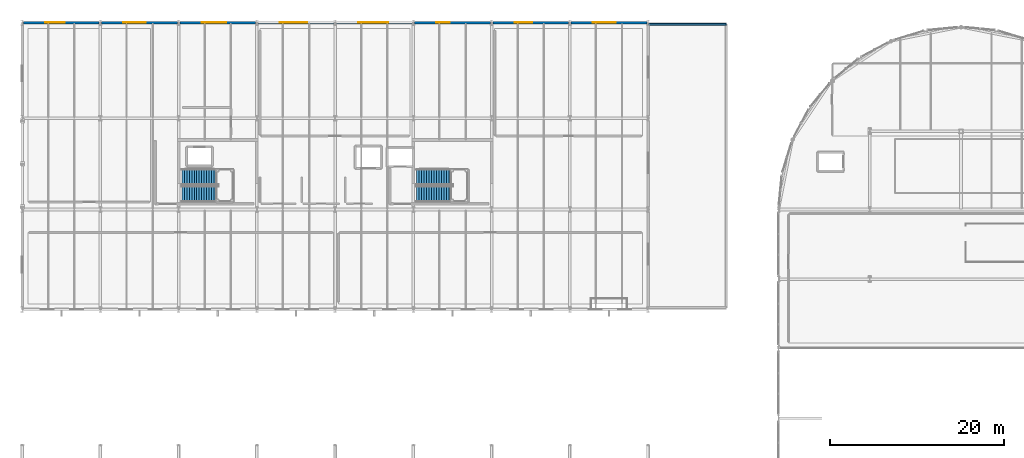
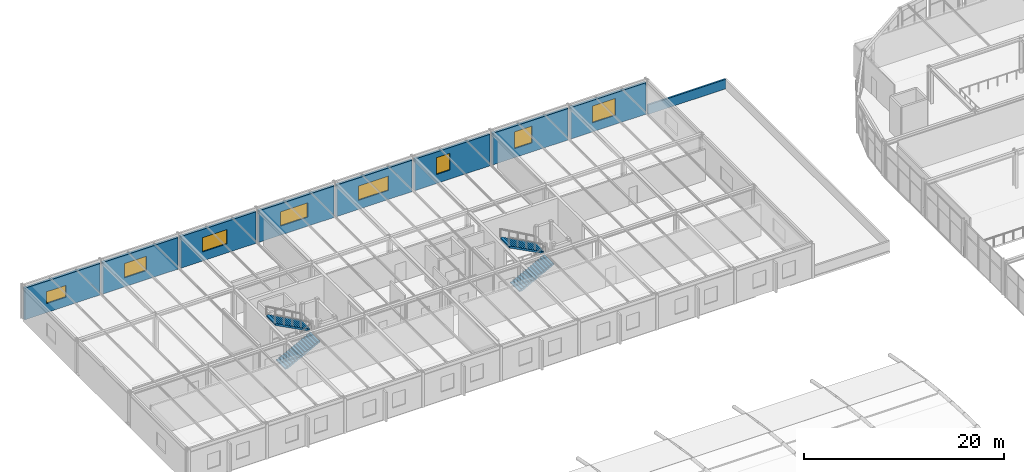
# One storey, part 63 of 105: 9 walls, 8 windows, 4 stair flights, 8 openings, 2 elements without a shape of their own.
"""IFC4 building model written with IfcOpenShell, lengths in metres."""

from ifc_helpers import new_model, si_unit, direction, frame, frame_2d, origin, place, context, subcontext, project, spatial, polyline, rectangle, outline, extrude, material, layer, layer_set, type_object, element, fill, aggregate, save


model = new_model("IFC4")

# Units and contexts
model_context = context("Model", 3, precision=1e-05, world=origin(), true_north=direction((0.0, 1.0)))
body_context = subcontext(model_context, "Body", "Model", "MODEL_VIEW")
ifc_project = project(units=[si_unit("LENGTHUNIT", "METRE"), si_unit("AREAUNIT", "SQUARE_METRE"), si_unit("VOLUMEUNIT", "CUBIC_METRE"), si_unit("PLANEANGLEUNIT", "RADIAN"), si_unit("MASSUNIT", "GRAM", prefix="KILO")], contexts=[model_context])

# Site, building, storey
site_placement = place(None, origin())
site = spatial("IfcSite", under=ifc_project, at=site_placement, CompositionType="ELEMENT")
building_placement = place(site_placement, origin())
building = spatial("IfcBuilding", under=site, at=building_placement, Name="Marlcrest Central Station", CompositionType="ELEMENT")
storey_placement = place(building_placement, frame((0.0, 0.0, 15.0)))
storey = spatial("IfcBuildingStorey", under=building, at=storey_placement, Name="L03", CompositionType="ELEMENT", Elevation=15.0)

# Wall
ifc_material_1 = material(Name="Concrete C40/50", Category="concrete")
ifc_layer_1 = layer(ifc_material_1, 0.199951171875, Name="EP-01")
ifc_layer_set_1 = layer_set([ifc_layer_1], Name="Concrete C40/50")
wall_type_1 = type_object("IfcWallType", Name="EP-01", PredefinedType="PARAPET", material=ifc_layer_set_1)
wall_1_placement = place(storey_placement, frame((72.0, 131.800048828125, 0.0), z_axis=(0.0, 0.0, 1.0), x_axis=(1.0, 0.0, 0.0)))
element("IfcWall", 1, at=wall_1_placement, inside=storey, type_object=wall_type_1, Name="ewall-L03-0206", PredefinedType="PARAPET", context=body_context, shape_type="SweptSolid", body=[
    extrude(rectangle(XDim=9.0, YDim=0.199951171875, at=frame_2d((4.5, 0.0))), origin(), (0.0, 0.0, 1.0), 1.14990234375),
])

# Wall, opening, window
ifc_layer_2 = layer(ifc_material_1, 0.2900390625, Name="EW-02")
ifc_layer_set_2 = layer_set([ifc_layer_2], Name="Concrete C40/50")
wall_type_2 = type_object("IfcWallType", Name="EW-02", PredefinedType="SOLIDWALL", material=ifc_layer_set_2)
wall_2_placement = place(storey_placement, frame((0.14990234375, 132.0, 0.0), z_axis=(0.0, 0.0, 1.0), x_axis=(1.0, 0.0, 0.0)))
wall_2 = element("IfcWall", 2, at=wall_2_placement, inside=storey, type_object=wall_type_2, Name="ewall-L03-0149", PredefinedType="SOLIDWALL", context=body_context, shape_type="SweptSolid", body=[
    extrude(rectangle(XDim=8.7001953125, YDim=0.2900390625, at=frame_2d((4.35009765625, 0.0))), origin(), (0.0, 0.0, 1.0), 3.85009765625),
])
opening_1_placement = place(wall_2_placement, frame((2.5, 0.0, 1.10009765625)))
opening_1 = element("IfcOpeningElement", 3, at=opening_1_placement, cuts=wall_2, Name="Opening WN-16", PredefinedType="OPENING", context=body_context, shape_type="SweptSolid", body=[
    extrude(rectangle(XDim=2.25, YDim=1.449951171875, at=frame_2d((1.125, 0.72509765625))), frame((0.0, 0.155029296875, 0.0), z_axis=(0.0, -1.0, 0.0), x_axis=(1.0, 0.0, 0.0)), (0.0, 0.0, 1.0), 0.31005859375),
])
ifc_material_2 = material(Name="Thermally broken bronze-anodised aluminium and laminated low-E glass", Category="aluminium")
window_type_1 = type_object("IfcWindowType", Name="WN-16", PartitioningType="SINGLE_PANEL", PredefinedType="WINDOW", material=ifc_material_2)
window_1_placement = place(opening_1_placement, origin())
window_1 = element("IfcWindow", 4, at=window_1_placement, inside=storey, type_object=window_type_1, Name="ewin-L03-0106", OverallHeight=1.449951171875, OverallWidth=2.25, PartitioningType="SINGLE_PANEL", PredefinedType="WINDOW", context=body_context, shape_type="SweptSolid", body=[
    extrude(rectangle(XDim=2.25, YDim=1.449951171875, at=frame_2d((1.125, 0.72509765625))), frame((0.0, 0.030029296875, 0.0), z_axis=(0.0, -1.0, 0.0), x_axis=(1.0, 0.0, 0.0)), (0.0, 0.0, 1.0), 0.06005859375),
])
fill(opening_1, window_1)

wall_3_placement = place(storey_placement, frame((9.14990234375, 132.0, 0.0), z_axis=(0.0, 0.0, 1.0), x_axis=(1.0, 0.0, 0.0)))
wall_3 = element("IfcWall", 5, at=wall_3_placement, inside=storey, type_object=wall_type_2, Name="ewall-L03-0151", PredefinedType="SOLIDWALL", context=body_context, shape_type="SweptSolid", body=[
    extrude(rectangle(XDim=8.7001953125, YDim=0.2900390625, at=frame_2d((4.35009765625, 0.0))), origin(), (0.0, 0.0, 1.0), 3.85009765625),
])
opening_2_placement = place(wall_3_placement, frame((2.5, 0.0, 1.10009765625)))
opening_2 = element("IfcOpeningElement", 6, at=opening_2_placement, cuts=wall_3, Name="Opening WN-17", PredefinedType="OPENING", context=body_context, shape_type="SweptSolid", body=[
    extrude(rectangle(XDim=2.550048828125, YDim=1.75, at=frame_2d((1.27490234375, 0.875))), frame((0.0, 0.155029296875, 0.0), z_axis=(0.0, -1.0, 0.0), x_axis=(1.0, 0.0, 0.0)), (0.0, 0.0, 1.0), 0.31005859375),
])
window_type_2 = type_object("IfcWindowType", Name="WN-17", PartitioningType="SINGLE_PANEL", PredefinedType="WINDOW", material=ifc_material_2)
window_2_placement = place(opening_2_placement, origin())
window_2 = element("IfcWindow", 7, at=window_2_placement, inside=storey, type_object=window_type_2, Name="ewin-L03-0109", OverallHeight=1.75, OverallWidth=2.550048828125, PartitioningType="SINGLE_PANEL", PredefinedType="WINDOW", context=body_context, shape_type="SweptSolid", body=[
    extrude(rectangle(XDim=2.550048828125, YDim=1.75, at=frame_2d((1.27490234375, 0.875))), frame((0.0, 0.030029296875, 0.0), z_axis=(0.0, -1.0, 0.0), x_axis=(1.0, 0.0, 0.0)), (0.0, 0.0, 1.0), 0.06005859375),
])
fill(opening_2, window_2)

wall_4_placement = place(storey_placement, frame((18.14990234375, 132.0, 0.0), z_axis=(0.0, 0.0, 1.0), x_axis=(1.0, 0.0, 0.0)))
wall_4 = element("IfcWall", 8, at=wall_4_placement, inside=storey, type_object=wall_type_2, Name="ewall-L03-0153", PredefinedType="SOLIDWALL", context=body_context, shape_type="SweptSolid", body=[
    extrude(rectangle(XDim=8.7001953125, YDim=0.2900390625, at=frame_2d((4.35009765625, 0.0))), origin(), (0.0, 0.0, 1.0), 3.85009765625),
])
opening_3_placement = place(wall_4_placement, frame((2.5, 0.0, 1.10009765625)))
opening_3 = element("IfcOpeningElement", 9, at=opening_3_placement, cuts=wall_4, Name="Opening WN-18", PredefinedType="OPENING", context=body_context, shape_type="SweptSolid", body=[
    extrude(rectangle(XDim=2.85009765625, YDim=1.75, at=frame_2d((1.425048828125, 0.875))), frame((0.0, 0.155029296875, 0.0), z_axis=(0.0, -1.0, 0.0), x_axis=(1.0, 0.0, 0.0)), (0.0, 0.0, 1.0), 0.31005859375),
])
window_type_3 = type_object("IfcWindowType", Name="WN-18", PartitioningType="SINGLE_PANEL", PredefinedType="WINDOW", material=ifc_material_2)
window_3_placement = place(opening_3_placement, origin())
window_3 = element("IfcWindow", 10, at=window_3_placement, inside=storey, type_object=window_type_3, Name="ewin-L03-0112", OverallHeight=1.75, OverallWidth=2.85009765625, PartitioningType="SINGLE_PANEL", PredefinedType="WINDOW", context=body_context, shape_type="SweptSolid", body=[
    extrude(rectangle(XDim=2.85009765625, YDim=1.75, at=frame_2d((1.425048828125, 0.875))), frame((0.0, 0.030029296875, 0.0), z_axis=(0.0, -1.0, 0.0), x_axis=(1.0, 0.0, 0.0)), (0.0, 0.0, 1.0), 0.06005859375),
])
fill(opening_3, window_3)

wall_5_placement = place(storey_placement, frame((27.14990234375, 132.0, 0.0), z_axis=(0.0, 0.0, 1.0), x_axis=(1.0, 0.0, 0.0)))
wall_5 = element("IfcWall", 11, at=wall_5_placement, inside=storey, type_object=wall_type_2, Name="ewall-L03-0155", PredefinedType="SOLIDWALL", context=body_context, shape_type="SweptSolid", body=[
    extrude(rectangle(XDim=8.7001953125, YDim=0.2900390625, at=frame_2d((4.35009765625, 0.0))), origin(), (0.0, 0.0, 1.0), 3.85009765625),
])
opening_4_placement = place(wall_5_placement, frame((2.5, 0.0, 1.10009765625)))
opening_4 = element("IfcOpeningElement", 12, at=opening_4_placement, cuts=wall_5, Name="Opening WN-19", PredefinedType="OPENING", context=body_context, shape_type="SweptSolid", body=[
    extrude(rectangle(XDim=3.14990234375, YDim=1.75, at=frame_2d((1.574951171875, 0.875))), frame((0.0, 0.155029296875, 0.0), z_axis=(0.0, -1.0, 0.0), x_axis=(1.0, 0.0, 0.0)), (0.0, 0.0, 1.0), 0.31005859375),
])
window_type_4 = type_object("IfcWindowType", Name="WN-19", PartitioningType="SINGLE_PANEL", PredefinedType="WINDOW", material=ifc_material_2)
window_4_placement = place(opening_4_placement, origin())
window_4 = element("IfcWindow", 13, at=window_4_placement, inside=storey, type_object=window_type_4, Name="ewin-L03-0115", OverallHeight=1.75, OverallWidth=3.14990234375, PartitioningType="SINGLE_PANEL", PredefinedType="WINDOW", context=body_context, shape_type="SweptSolid", body=[
    extrude(rectangle(XDim=3.14990234375, YDim=1.75, at=frame_2d((1.574951171875, 0.875))), frame((0.0, 0.030029296875, 0.0), z_axis=(0.0, -1.0, 0.0), x_axis=(1.0, 0.0, 0.0)), (0.0, 0.0, 1.0), 0.06005859375),
])
fill(opening_4, window_4)

wall_6_placement = place(storey_placement, frame((36.14990234375, 132.0, 0.0), z_axis=(0.0, 0.0, 1.0), x_axis=(1.0, 0.0, 0.0)))
wall_6 = element("IfcWall", 14, at=wall_6_placement, inside=storey, type_object=wall_type_2, Name="ewall-L03-0157", PredefinedType="SOLIDWALL", context=body_context, shape_type="SweptSolid", body=[
    extrude(rectangle(XDim=8.7001953125, YDim=0.2900390625, at=frame_2d((4.35009765625, 0.0))), origin(), (0.0, 0.0, 1.0), 3.85009765625),
])
opening_5_placement = place(wall_6_placement, frame((2.5, 0.0, 1.10009765625)))
opening_5 = element("IfcOpeningElement", 15, at=opening_5_placement, cuts=wall_6, Name="Opening WN-20", PredefinedType="OPENING", context=body_context, shape_type="SweptSolid", body=[
    extrude(rectangle(XDim=3.449951171875, YDim=1.75, at=frame_2d((1.72509765625, 0.875))), frame((0.0, 0.155029296875, 0.0), z_axis=(0.0, -1.0, 0.0), x_axis=(1.0, 0.0, 0.0)), (0.0, 0.0, 1.0), 0.31005859375),
])
window_type_5 = type_object("IfcWindowType", Name="WN-20", PartitioningType="SINGLE_PANEL", PredefinedType="WINDOW", material=ifc_material_2)
window_5_placement = place(opening_5_placement, origin())
window_5 = element("IfcWindow", 16, at=window_5_placement, inside=storey, type_object=window_type_5, Name="ewin-L03-0118", OverallHeight=1.75, OverallWidth=3.449951171875, PartitioningType="SINGLE_PANEL", PredefinedType="WINDOW", context=body_context, shape_type="SweptSolid", body=[
    extrude(rectangle(XDim=3.449951171875, YDim=1.75, at=frame_2d((1.72509765625, 0.875))), frame((0.0, 0.030029296875, 0.0), z_axis=(0.0, -1.0, 0.0), x_axis=(1.0, 0.0, 0.0)), (0.0, 0.0, 1.0), 0.06005859375),
])
fill(opening_5, window_5)

wall_7_placement = place(storey_placement, frame((45.14990234375, 132.0, 0.0), z_axis=(0.0, 0.0, 1.0), x_axis=(1.0, 0.0, 0.0)))
wall_7 = element("IfcWall", 17, at=wall_7_placement, inside=storey, type_object=wall_type_2, Name="ewall-L03-0159", PredefinedType="SOLIDWALL", context=body_context, shape_type="SweptSolid", body=[
    extrude(rectangle(XDim=8.7001953125, YDim=0.2900390625, at=frame_2d((4.35009765625, 0.0))), origin(), (0.0, 0.0, 1.0), 3.85009765625),
])
opening_6_placement = place(wall_7_placement, frame((2.5, 0.0, 1.10009765625)))
opening_6 = element("IfcOpeningElement", 18, at=opening_6_placement, cuts=wall_7, Name="Opening WN-21", PredefinedType="OPENING", context=body_context, shape_type="SweptSolid", body=[
    extrude(rectangle(XDim=1.550048828125, YDim=2.050048828125, at=frame_2d((0.77490234375, 1.02490234375))), frame((0.0, 0.155029296875, 0.0), z_axis=(0.0, -1.0, 0.0), x_axis=(1.0, 0.0, 0.0)), (0.0, 0.0, 1.0), 0.31005859375),
])
window_type_6 = type_object("IfcWindowType", Name="WN-21", PartitioningType="SINGLE_PANEL", PredefinedType="WINDOW", material=ifc_material_2)
window_6_placement = place(opening_6_placement, origin())
window_6 = element("IfcWindow", 19, at=window_6_placement, inside=storey, type_object=window_type_6, Name="ewin-L03-0121", OverallHeight=2.050048828125, OverallWidth=1.550048828125, PartitioningType="SINGLE_PANEL", PredefinedType="WINDOW", context=body_context, shape_type="SweptSolid", body=[
    extrude(rectangle(XDim=1.550048828125, YDim=2.050048828125, at=frame_2d((0.77490234375, 1.02490234375))), frame((0.0, 0.030029296875, 0.0), z_axis=(0.0, -1.0, 0.0), x_axis=(1.0, 0.0, 0.0)), (0.0, 0.0, 1.0), 0.06005859375),
])
fill(opening_6, window_6)

wall_8_placement = place(storey_placement, frame((54.14990234375, 132.0, 0.0), z_axis=(0.0, 0.0, 1.0), x_axis=(1.0, 0.0, 0.0)))
wall_8 = element("IfcWall", 20, at=wall_8_placement, inside=storey, type_object=wall_type_2, Name="ewall-L03-0161", PredefinedType="SOLIDWALL", context=body_context, shape_type="SweptSolid", body=[
    extrude(rectangle(XDim=8.7001953125, YDim=0.2900390625, at=frame_2d((4.35009765625, 0.0))), origin(), (0.0, 0.0, 1.0), 3.85009765625),
])
opening_7_placement = place(wall_8_placement, frame((2.5, 0.0, 1.10009765625)))
opening_7 = element("IfcOpeningElement", 21, at=opening_7_placement, cuts=wall_8, Name="Opening WN-22", PredefinedType="OPENING", context=body_context, shape_type="SweptSolid", body=[
    extrude(rectangle(XDim=2.050048828125, YDim=2.050048828125, at=frame_2d((1.02490234375, 1.02490234375))), frame((0.0, 0.155029296875, 0.0), z_axis=(0.0, -1.0, 0.0), x_axis=(1.0, 0.0, 0.0)), (0.0, 0.0, 1.0), 0.31005859375),
])
window_type_7 = type_object("IfcWindowType", Name="WN-22", PartitioningType="SINGLE_PANEL", PredefinedType="WINDOW", material=ifc_material_2)
window_7_placement = place(opening_7_placement, origin())
window_7 = element("IfcWindow", 22, at=window_7_placement, inside=storey, type_object=window_type_7, Name="ewin-L03-0124", OverallHeight=2.050048828125, OverallWidth=2.050048828125, PartitioningType="SINGLE_PANEL", PredefinedType="WINDOW", context=body_context, shape_type="SweptSolid", body=[
    extrude(rectangle(XDim=2.050048828125, YDim=2.050048828125, at=frame_2d((1.02490234375, 1.02490234375))), frame((0.0, 0.030029296875, 0.0), z_axis=(0.0, -1.0, 0.0), x_axis=(1.0, 0.0, 0.0)), (0.0, 0.0, 1.0), 0.06005859375),
])
fill(opening_7, window_7)

wall_9_placement = place(storey_placement, frame((63.14990234375, 132.0, 0.0), z_axis=(0.0, 0.0, 1.0), x_axis=(1.0, 0.0, 0.0)))
wall_9 = element("IfcWall", 23, at=wall_9_placement, inside=storey, type_object=wall_type_2, Name="ewall-L03-0163", PredefinedType="SOLIDWALL", context=body_context, shape_type="SweptSolid", body=[
    extrude(rectangle(XDim=8.7001953125, YDim=0.2900390625, at=frame_2d((4.35009765625, 0.0))), origin(), (0.0, 0.0, 1.0), 3.85009765625),
])
opening_8_placement = place(wall_9_placement, frame((2.5, 0.0, 1.10009765625)))
opening_8 = element("IfcOpeningElement", 24, at=opening_8_placement, cuts=wall_9, Name="Opening WN-23", PredefinedType="OPENING", context=body_context, shape_type="SweptSolid", body=[
    extrude(rectangle(XDim=2.64990234375, YDim=2.050048828125, at=frame_2d((1.324951171875, 1.02490234375))), frame((0.0, 0.155029296875, 0.0), z_axis=(0.0, -1.0, 0.0), x_axis=(1.0, 0.0, 0.0)), (0.0, 0.0, 1.0), 0.31005859375),
])
window_type_8 = type_object("IfcWindowType", Name="WN-23", PartitioningType="SINGLE_PANEL", PredefinedType="WINDOW", material=ifc_material_2)
window_8_placement = place(opening_8_placement, origin())
window_8 = element("IfcWindow", 25, at=window_8_placement, inside=storey, type_object=window_type_8, Name="ewin-L03-0127", OverallHeight=2.050048828125, OverallWidth=2.64990234375, PartitioningType="SINGLE_PANEL", PredefinedType="WINDOW", context=body_context, shape_type="SweptSolid", body=[
    extrude(rectangle(XDim=2.64990234375, YDim=2.050048828125, at=frame_2d((1.324951171875, 1.02490234375))), frame((0.0, 0.030029296875, 0.0), z_axis=(0.0, -1.0, 0.0), x_axis=(1.0, 0.0, 0.0)), (0.0, 0.0, 1.0), 0.06005859375),
])
fill(opening_8, window_8)

# Stair, stair flights
ifc_material_3 = material(Name="Concrete C35/45", Category="concrete")
stair_type = type_object("IfcStairType", Name="ST-HTS", PredefinedType="HALF_TURN_STAIR", material=ifc_material_3)
stair_1_placement = place(storey_placement, origin())
stair_1 = element("IfcStair", 26, at=stair_1_placement, inside=storey, type_object=stair_type, Name="ST-W13", PredefinedType="HALF_TURN_STAIR")
stair_flight_type = type_object("IfcStairFlightType", Name="SF-180", PredefinedType="STRAIGHT", material=ifc_material_3)
stair_flight_1_placement = place(storey_placement, frame((18.3701171875, 112.27001953125, 0.0), z_axis=(0.0, 0.0, 1.0), x_axis=(1.0, 0.0, 0.0)))
stair_flight_1 = element("IfcStairFlight", 27, at=stair_flight_1_placement, type_object=stair_flight_type, Name="ST-W13-F1", NumberOfRisers=15, NumberOfTreads=14, PredefinedType="STRAIGHT", RiserHeight=0.15, TreadLength=0.285, context=body_context, shape_type="SweptSolid", body=[
    extrude(outline(polyline([(0.0, 0.0), (0.0, 0.14990234375), (0.284912109375, 0.14990234375), (0.284912109375, 0.300048828125), (0.570068359375, 0.300048828125), (0.570068359375, 0.449951171875), (0.85498046875, 0.449951171875), (0.85498046875, 0.60009765625), (1.139892578125, 0.60009765625), (1.139892578125, 0.75), (1.425048828125, 0.75), (1.425048828125, 0.89990234375), (1.7099609375, 0.89990234375), (1.7099609375, 1.050048828125), (1.9951171875, 1.050048828125), (1.9951171875, 1.199951171875), (2.280029296875, 1.199951171875), (2.280029296875, 1.35009765625), (2.56494140625, 1.35009765625), (2.56494140625, 1.5), (2.85009765625, 1.5), (2.85009765625, 1.64990234375), (3.135009765625, 1.64990234375), (3.135009765625, 1.800048828125), (3.419921875, 1.800048828125), (3.419921875, 1.949951171875), (3.705078125, 1.949951171875), (3.705078125, 2.10009765625), (3.989990234375, 2.10009765625), (3.989990234375, 2.25), (3.989990234375, 1.91357421875), (0.354248046875, 0.0), (0.0, 0.0)])), frame((0.0, 0.89990234375, 0.0), z_axis=(0.0, -1.0, 0.0), x_axis=(1.0, 0.0, 0.0)), (0.0, 0.0, 1.0), 1.800048828125),
])
stair_flight_2_placement = place(storey_placement, frame((22.360107421875, 114.22998046875, 2.25), z_axis=(0.0, 0.0, 1.0), x_axis=(-1.0, 0.0, 0.0)))
stair_flight_2 = element("IfcStairFlight", 28, at=stair_flight_2_placement, type_object=stair_flight_type, Name="ST-W13-F2", NumberOfRisers=15, NumberOfTreads=14, PredefinedType="STRAIGHT", RiserHeight=0.15, TreadLength=0.285, context=body_context, shape_type="SweptSolid", body=[
    extrude(outline(polyline([(0.0, 0.0), (0.0, 0.14990234375), (0.284912109375, 0.14990234375), (0.284912109375, 0.300048828125), (0.570068359375, 0.300048828125), (0.570068359375, 0.449951171875), (0.85498046875, 0.449951171875), (0.85498046875, 0.60009765625), (1.139892578125, 0.60009765625), (1.139892578125, 0.75), (1.425048828125, 0.75), (1.425048828125, 0.89990234375), (1.7099609375, 0.89990234375), (1.7099609375, 1.050048828125), (1.9951171875, 1.050048828125), (1.9951171875, 1.199951171875), (2.280029296875, 1.199951171875), (2.280029296875, 1.35009765625), (2.56494140625, 1.35009765625), (2.56494140625, 1.5), (2.85009765625, 1.5), (2.85009765625, 1.64990234375), (3.135009765625, 1.64990234375), (3.135009765625, 1.800048828125), (3.419921875, 1.800048828125), (3.419921875, 1.949951171875), (3.705078125, 1.949951171875), (3.705078125, 2.10009765625), (3.989990234375, 2.10009765625), (3.989990234375, 2.25), (3.989990234375, 1.91357421875), (0.354248046875, 0.0), (0.0, 0.0)])), frame((0.0, 0.89990234375, 0.0), z_axis=(0.0, -1.0, 0.0), x_axis=(1.0, 0.0, 0.0)), (0.0, 0.0, 1.0), 1.800048828125),
])
aggregate(stair_1, [stair_flight_1, stair_flight_2])

stair_2_placement = place(storey_placement, origin())
stair_2 = element("IfcStair", 29, at=stair_2_placement, inside=storey, type_object=stair_type, Name="ST-W23", PredefinedType="HALF_TURN_STAIR")
stair_flight_3_placement = place(storey_placement, frame((45.3701171875, 112.27001953125, 0.0), z_axis=(0.0, 0.0, 1.0), x_axis=(1.0, 0.0, 0.0)))
stair_flight_3 = element("IfcStairFlight", 30, at=stair_flight_3_placement, type_object=stair_flight_type, Name="ST-W23-F1", NumberOfRisers=15, NumberOfTreads=14, PredefinedType="STRAIGHT", RiserHeight=0.15, TreadLength=0.285, context=body_context, shape_type="SweptSolid", body=[
    extrude(outline(polyline([(0.0, 0.0), (0.0, 0.14990234375), (0.284912109375, 0.14990234375), (0.284912109375, 0.300048828125), (0.570068359375, 0.300048828125), (0.570068359375, 0.449951171875), (0.85498046875, 0.449951171875), (0.85498046875, 0.60009765625), (1.139892578125, 0.60009765625), (1.139892578125, 0.75), (1.425048828125, 0.75), (1.425048828125, 0.89990234375), (1.7099609375, 0.89990234375), (1.7099609375, 1.050048828125), (1.9951171875, 1.050048828125), (1.9951171875, 1.199951171875), (2.280029296875, 1.199951171875), (2.280029296875, 1.35009765625), (2.56494140625, 1.35009765625), (2.56494140625, 1.5), (2.85009765625, 1.5), (2.85009765625, 1.64990234375), (3.135009765625, 1.64990234375), (3.135009765625, 1.800048828125), (3.419921875, 1.800048828125), (3.419921875, 1.949951171875), (3.705078125, 1.949951171875), (3.705078125, 2.10009765625), (3.989990234375, 2.10009765625), (3.989990234375, 2.25), (3.989990234375, 1.91357421875), (0.354248046875, 0.0), (0.0, 0.0)])), frame((0.0, 0.89990234375, 0.0), z_axis=(0.0, -1.0, 0.0), x_axis=(1.0, 0.0, 0.0)), (0.0, 0.0, 1.0), 1.800048828125),
])
stair_flight_4_placement = place(storey_placement, frame((49.360107421875, 114.22998046875, 2.25), z_axis=(0.0, 0.0, 1.0), x_axis=(-1.0, 0.0, 0.0)))
stair_flight_4 = element("IfcStairFlight", 31, at=stair_flight_4_placement, type_object=stair_flight_type, Name="ST-W23-F2", NumberOfRisers=15, NumberOfTreads=14, PredefinedType="STRAIGHT", RiserHeight=0.15, TreadLength=0.285, context=body_context, shape_type="SweptSolid", body=[
    extrude(outline(polyline([(0.0, 0.0), (0.0, 0.14990234375), (0.284912109375, 0.14990234375), (0.284912109375, 0.300048828125), (0.570068359375, 0.300048828125), (0.570068359375, 0.449951171875), (0.85498046875, 0.449951171875), (0.85498046875, 0.60009765625), (1.139892578125, 0.60009765625), (1.139892578125, 0.75), (1.425048828125, 0.75), (1.425048828125, 0.89990234375), (1.7099609375, 0.89990234375), (1.7099609375, 1.050048828125), (1.9951171875, 1.050048828125), (1.9951171875, 1.199951171875), (2.280029296875, 1.199951171875), (2.280029296875, 1.35009765625), (2.56494140625, 1.35009765625), (2.56494140625, 1.5), (2.85009765625, 1.5), (2.85009765625, 1.64990234375), (3.135009765625, 1.64990234375), (3.135009765625, 1.800048828125), (3.419921875, 1.800048828125), (3.419921875, 1.949951171875), (3.705078125, 1.949951171875), (3.705078125, 2.10009765625), (3.989990234375, 2.10009765625), (3.989990234375, 2.25), (3.989990234375, 1.91357421875), (0.354248046875, 0.0), (0.0, 0.0)])), frame((0.0, 0.89990234375, 0.0), z_axis=(0.0, -1.0, 0.0), x_axis=(1.0, 0.0, 0.0)), (0.0, 0.0, 1.0), 1.800048828125),
])
aggregate(stair_2, [stair_flight_3, stair_flight_4])

save(model, "model.ifc")
